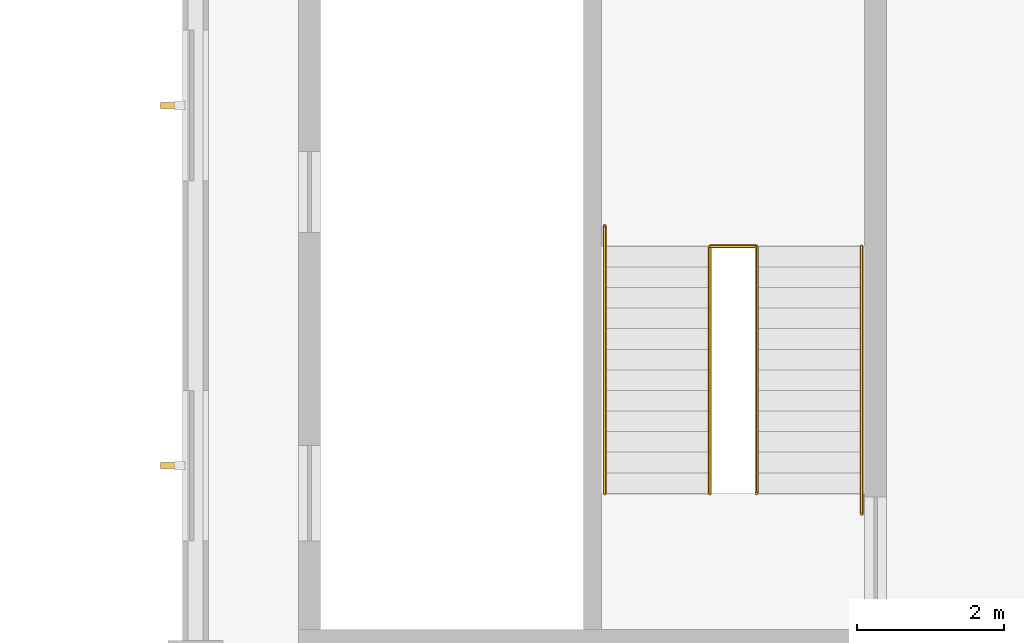
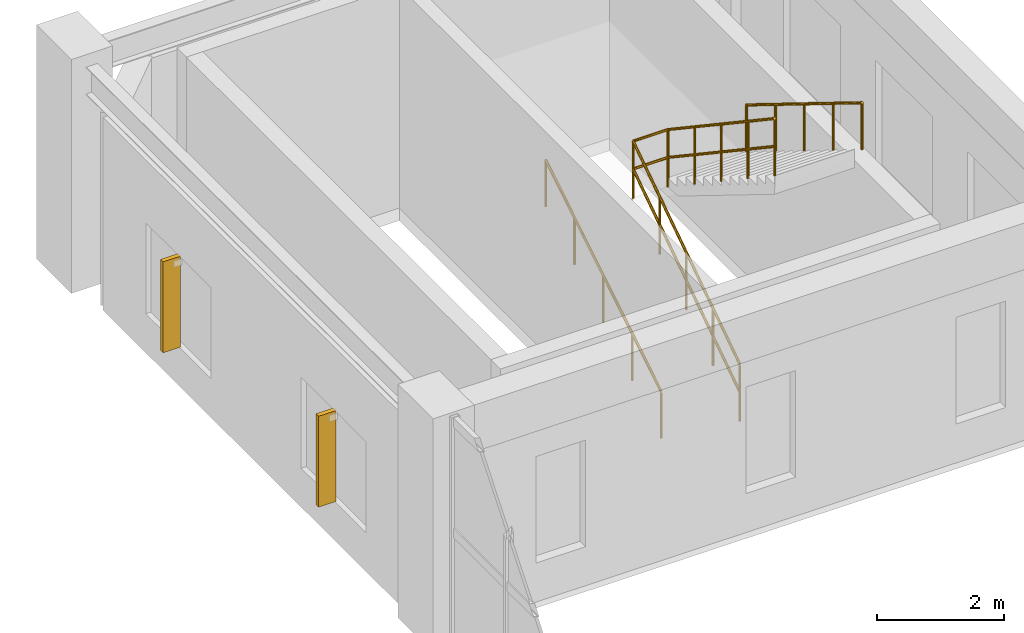
# One storey, part 47 of 48: 3 railings, 2 shading devices.
"""IFC4 building model written with IfcOpenShell, lengths in metres."""

import ifcopenshell
import ifcopenshell.guid

model = None  # the IFC model being written
_history = None  # IfcOwnerHistory: only IFC2X3 demands one
_inside = {}  # id of a spatial element -> (the spatial element, [elements in it])
_under = {}  # id of a project, library or spatial element -> (it, [spatial elements below it])
_declared = {}  # id of a project -> (the project, [libraries it declares])
_typed = {}  # id of a type object -> (the type object, [elements of that type])
_made_of = {}  # id of a material, layer set ... -> (it, [elements and type objects made of it])


def new_model(schema):
    """Start an empty IFC model of exactly this schema.

    Asked for "IFC4X3", IfcOpenShell would pick the latest addendum, in which some entities
    have other attributes; the version numbers below select the first issue.
    IFC2X3 requires an IfcOwnerHistory on every rooted entity: one is made here for all.
    """
    global model, _history
    if schema == "IFC4X3":
        model = ifcopenshell.file(schema_version=(4, 3, 0, 0))
    else:
        model = ifcopenshell.file(schema=schema)
    _inside.clear()
    _under.clear()
    _declared.clear()
    _typed.clear()
    _made_of.clear()
    _history = None
    if model.schema == "IFC2X3":
        org = make("IfcOrganization", Name="unknown")
        user = make(
            "IfcPersonAndOrganization",
            ThePerson=make("IfcPerson", FamilyName="unknown"),
            TheOrganization=org,
        )
        app = make(
            "IfcApplication",
            ApplicationDeveloper=org,
            Version="unknown",
            ApplicationFullName="unknown",
            ApplicationIdentifier="unknown",
        )
        _history = make(
            "IfcOwnerHistory",
            OwningUser=user,
            OwningApplication=app,
            ChangeAction="ADDED",
            CreationDate=0,
        )
    return model


def make(cls, **values):
    """One entity of the class cls with the attributes given. An attribute that is None is left unset."""
    return model.create_entity(
        cls, **{name: value for name, value in values.items() if value is not None}
    )


def rooted(cls, **values):
    """An entity with a GlobalId (a new one), such as an element, a storey or a relation."""
    return make(cls, GlobalId=ifcopenshell.guid.new(), OwnerHistory=_history, **values)


def si_unit(unit_type, name, prefix=None):
    """IfcSIUnit, for example si_unit("LENGTHUNIT", "METRE", prefix="MILLI")."""
    return make("IfcSIUnit", UnitType=unit_type, Prefix=prefix, Name=name)


def assignment(units):
    """IfcUnitAssignment: the units of a project."""
    return None if units is None else make("IfcUnitAssignment", Units=units)


def point(xyz):
    """IfcCartesianPoint."""
    return None if xyz is None else make("IfcCartesianPoint", Coordinates=xyz)


def direction(xyz):
    """IfcDirection."""
    return None if xyz is None else make("IfcDirection", DirectionRatios=xyz)


def frame(location, z_axis=None, x_axis=None):
    """IfcAxis2Placement3D, a coordinate frame: its origin and axes. An axis left out is left unset."""
    return make(
        "IfcAxis2Placement3D",
        Location=point(location),
        Axis=direction(z_axis),
        RefDirection=direction(x_axis),
    )


def frame_2d(location, x_axis=None):
    """IfcAxis2Placement2D, a coordinate frame in the plane: its origin and x axis."""
    return make(
        "IfcAxis2Placement2D", Location=point(location), RefDirection=direction(x_axis)
    )


def origin():
    """The frame at (0, 0, 0) with its axes left unset."""
    return frame((0.0, 0.0, 0.0))


def origin_2d():
    """The frame at (0, 0) in the plane with its x axis left unset."""
    return frame_2d((0.0, 0.0))


def place(relative_to, where):
    """IfcLocalPlacement: puts the frame where relative to a parent placement (None: the world)."""
    return make(
        "IfcLocalPlacement", PlacementRelTo=relative_to, RelativePlacement=where
    )


def context(
    kind, dimensions, precision=None, world=None, true_north=None, identifier=None
):
    """IfcGeometricRepresentationContext, for example the 3D "Model" context."""
    return make(
        "IfcGeometricRepresentationContext",
        ContextIdentifier=identifier,
        ContextType=kind,
        CoordinateSpaceDimension=dimensions,
        Precision=precision,
        WorldCoordinateSystem=world,
        TrueNorth=true_north,
    )


def subcontext(parent, identifier, kind, view, scale=None):
    """IfcGeometricRepresentationSubContext, for example "Body" below "Model"."""
    return make(
        "IfcGeometricRepresentationSubContext",
        ContextIdentifier=identifier,
        ContextType=kind,
        ParentContext=parent,
        TargetScale=scale,
        TargetView=view,
    )


def project(units=None, contexts=None):
    """IfcProject with its units and contexts."""
    return rooted(
        "IfcProject",
        Name="project",
        RepresentationContexts=contexts,
        UnitsInContext=assignment(units),
    )


def spatial(cls, under=None, at=None, **own):
    """A site, building, storey or space (cls), placed at a placement, below another one or the project."""
    s = rooted(cls, ObjectPlacement=at, **own)
    if under is not None:
        _under.setdefault(under.id(), (under, []))[1].append(s)
    return s


def profile(cls, at=None, kind="AREA", **sizes):
    """A parametric profile (cls). Its sizes go by their IFC names, for example OverallWidth=200.0."""
    return make(cls, ProfileType=kind, Position=at, **sizes)


def rectangle(**sizes):
    """IfcRectangleProfileDef."""
    return profile("IfcRectangleProfileDef", **sizes)


def circle(**sizes):
    """IfcCircleProfileDef."""
    return profile("IfcCircleProfileDef", **sizes)


def extrude(swept, where, along, depth):
    """IfcExtrudedAreaSolid: the profile swept, set in the frame where, extruded along a direction by depth."""
    return make(
        "IfcExtrudedAreaSolid",
        SweptArea=swept,
        Position=where,
        ExtrudedDirection=direction(along),
        Depth=depth,
    )


def shape(context_of_items, identifier, shape_type, items):
    """IfcShapeRepresentation: the items that make up one representation, for example the "Body"."""
    return make(
        "IfcShapeRepresentation",
        ContextOfItems=context_of_items,
        RepresentationIdentifier=identifier,
        RepresentationType=shape_type,
        Items=items,
    )


def material(Name=None, Category=None):
    """IfcMaterial."""
    return make("IfcMaterial", Name=Name, Category=Category)


def made_of(thing, what):
    """Note that an element or type object is made of a material, layer set ...; save() writes the relation."""
    if what is not None:
        _made_of.setdefault(what.id(), (what, []))[1].append(thing)
    return thing


def type_object(cls, material=None, **own):
    """A type object (cls), such as IfcWallType, which elements share."""
    return made_of(rooted(cls, **own), material)


def element(
    cls,
    number,
    at=None,
    inside=None,
    cuts=None,
    type_object=None,
    material=None,
    context=None,
    identifier="Body",
    shape_type=None,
    held_by="IfcProductDefinitionShape",
    body=None,
    shapes=None,
    **own,
):
    """One element of the class cls, such as IfcWall. Its Tag is "e" and its number.

    at: its placement. inside: the storey or other place that contains it. cuts: it is an
    opening in that element (IfcRelVoidsElement). A single representation is given by context,
    identifier, shape_type and body (its items); several are given by shapes. held_by: the class
    of the entity that holds the representations. save() writes the other relations.
    """
    e = rooted(cls, Tag="e%d" % number, ObjectPlacement=at, **own)
    if body is not None:
        shapes = [shape(context, identifier, shape_type, body)]
    if shapes is not None:
        e.Representation = make(held_by, Representations=shapes)
    if inside is not None:
        _inside.setdefault(inside.id(), (inside, []))[1].append(e)
    if cuts is not None:
        rooted(
            "IfcRelVoidsElement", RelatingBuildingElement=cuts, RelatedOpeningElement=e
        )
    if type_object is not None:
        _typed.setdefault(type_object.id(), (type_object, []))[1].append(e)
    return made_of(e, material)


def aggregate(whole, parts):
    """IfcRelAggregates: a whole, such as a stair, and the parts it consists of."""
    return rooted("IfcRelAggregates", RelatingObject=whole, RelatedObjects=parts)


def save(model, path):
    """Write the relations noted so far, then the file.

    IfcRelAggregates (storeys below a building ...), IfcRelContainedInSpatialStructure (elements
    in a storey), IfcRelDefinesByType, IfcRelAssociatesMaterial and IfcRelDeclares: one each for
    every whole, place, type object, material and project.
    """
    for whole, parts in _under.values():
        aggregate(whole, parts)
    for where, things in _inside.values():
        rooted(
            "IfcRelContainedInSpatialStructure",
            RelatedElements=things,
            RelatingStructure=where,
        )
    for kind, things in _typed.values():
        rooted("IfcRelDefinesByType", RelatedObjects=things, RelatingType=kind)
    for what, things in _made_of.values():
        rooted("IfcRelAssociatesMaterial", RelatedObjects=things, RelatingMaterial=what)
    for by, libraries in _declared.values():
        rooted("IfcRelDeclares", RelatingContext=by, RelatedDefinitions=libraries)
    model.write(path)


model = new_model("IFC4")

# Units and contexts
model_context = context("Model", 3, precision=1e-05, world=origin(), true_north=direction((0.0, 1.0)))
body_context = subcontext(model_context, "Body", "Model", "MODEL_VIEW")
ifc_project = project(units=[si_unit("LENGTHUNIT", "METRE"), si_unit("AREAUNIT", "SQUARE_METRE"), si_unit("VOLUMEUNIT", "CUBIC_METRE"), si_unit("PLANEANGLEUNIT", "RADIAN"), si_unit("MASSUNIT", "GRAM", prefix="KILO"), si_unit("POWERUNIT", "WATT"), si_unit("THERMODYNAMICTEMPERATUREUNIT", "KELVIN")], contexts=[model_context])

# Site, building, storey
site_placement = place(None, origin())
site = spatial("IfcSite", under=ifc_project, at=site_placement, CompositionType="ELEMENT")
building_placement = place(site_placement, origin())
building = spatial("IfcBuilding", under=site, at=building_placement, Name="Kelmbourne Parkland Aquatics Centre", CompositionType="ELEMENT")
storey_placement = place(building_placement, frame((0.0, 0.0, 14.699951171875)))
storey = spatial("IfcBuildingStorey", under=building, at=storey_placement, Name="L03", CompositionType="ELEMENT", Elevation=14.699951171875)

# Railings
ifc_material_1 = material(Name="Grade 316 marine stainless steel", Category="steel")
railing_type_1 = type_object("IfcRailingType", Name="RL-GD-112", PredefinedType="GUARDRAIL", material=ifc_material_1)
railing_1_placement = place(storey_placement, frame((134.9951171875, 105.949951171875, 0.0)))
element("IfcRailing", 1, at=railing_1_placement, inside=storey, type_object=railing_type_1, Name="North Diving Control Fire-Fighting Core Stair ST05 well guardrail", PredefinedType="GUARDRAIL", context=body_context, shape_type="SweptSolid", body=[
    extrude(circle(Radius=0.02392578125, at=origin_2d()), frame((0.0, 0.0, 1.09619140625), z_axis=(0.0, 0.830915400975, 0.556398774641), x_axis=(-1.0, 0.0, 0.0)), (0.0, 0.0, 1.0), 4.0439453125),
    extrude(circle(Radius=0.02392578125, at=origin_2d()), frame((0.0, 0.0, 0.56005859375), z_axis=(0.0, 0.830915400975, 0.556398774641), x_axis=(-1.0, 0.0, 0.0)), (0.0, 0.0, 1.0), 4.0439453125),
    extrude(circle(Radius=0.02392578125, at=origin_2d()), frame((0.0, 3.360107421875, 3.34619140625), z_axis=(1.0, 0.0, 0.0), x_axis=(0.0, 1.0, 0.0)), (0.0, 0.0, 1.0), 0.634765625),
    extrude(circle(Radius=0.02392578125, at=origin_2d()), frame((0.0, 3.360107421875, 2.81005859375), z_axis=(1.0, 0.0, 0.0), x_axis=(0.0, 1.0, 0.0)), (0.0, 0.0, 1.0), 0.634765625),
    extrude(circle(Radius=0.02392578125, at=origin_2d()), frame((0.634765625, 3.360107421875, 3.34619140625), z_axis=(0.0, -0.830915400975, 0.556398774641), x_axis=(1.0, 0.0, 0.0)), (0.0, 0.0, 1.0), 4.0439453125),
    extrude(circle(Radius=0.02392578125, at=origin_2d()), frame((0.634765625, 3.360107421875, 2.81005859375), z_axis=(0.0, -0.830915400975, 0.556398774641), x_axis=(1.0, 0.0, 0.0)), (0.0, 0.0, 1.0), 4.0439453125),
    extrude(circle(Radius=0.02099609375, at=origin_2d()), origin(), (0.0, 0.0, 1.0), 1.072021484375),
    extrude(circle(Radius=0.02099609375, at=origin_2d()), frame((0.0, 0.840087890625, 0.5625)), (0.0, 0.0, 1.0), 1.072021484375),
    extrude(circle(Radius=0.02099609375, at=origin_2d()), frame((0.0, 1.68017578125, 1.125)), (0.0, 0.0, 1.0), 1.072021484375),
    extrude(circle(Radius=0.02099609375, at=origin_2d()), frame((0.0, 2.52001953125, 1.6875)), (0.0, 0.0, 1.0), 1.072021484375),
    extrude(circle(Radius=0.02099609375, at=origin_2d()), frame((0.0, 3.360107421875, 2.25)), (0.0, 0.0, 1.0), 1.072021484375),
    extrude(circle(Radius=0.02099609375, at=origin_2d()), frame((0.634765625, 3.360107421875, 2.25)), (0.0, 0.0, 1.0), 1.072021484375),
    extrude(circle(Radius=0.02099609375, at=origin_2d()), frame((0.634765625, 2.52001953125, 2.8125)), (0.0, 0.0, 1.0), 1.072021484375),
    extrude(circle(Radius=0.02099609375, at=origin_2d()), frame((0.634765625, 1.68017578125, 3.375)), (0.0, 0.0, 1.0), 1.072021484375),
    extrude(circle(Radius=0.02099609375, at=origin_2d()), frame((0.634765625, 0.840087890625, 3.9375)), (0.0, 0.0, 1.0), 1.072021484375),
    extrude(circle(Radius=0.02099609375, at=origin_2d()), frame((0.634765625, 0.0, 4.5)), (0.0, 0.0, 1.0), 1.072021484375),
])
railing_type_2 = type_object("IfcRailingType", Name="RL-HR-92", PredefinedType="HANDRAIL", material=ifc_material_1)
railing_2_placement = place(storey_placement, frame((133.56494140625, 105.949951171875, 0.173095703125)))
element("IfcRailing", 2, at=railing_2_placement, inside=storey, type_object=railing_type_2, Name="North Diving Control Fire-Fighting Core Stair ST05 F1 handrail", PredefinedType="HANDRAIL", context=body_context, shape_type="SweptSolid", body=[
    extrude(circle(Radius=0.02392578125, at=origin_2d()), frame((0.0, 0.0, 0.89599609375), z_axis=(0.0, 0.850622404505, 0.525777067734), x_axis=(-1.0, 0.0, 0.0)), (0.0, 0.0, 1.0), 4.279296875),
    extrude(circle(Radius=0.02099609375, at=origin_2d()), origin(), (0.0, 0.0, 1.0), 0.871826171875),
    extrude(circle(Radius=0.02099609375, at=origin_2d()), frame((0.0, 0.91015625, 0.5625)), (0.0, 0.0, 1.0), 0.871826171875),
    extrude(circle(Radius=0.02099609375, at=origin_2d()), frame((0.0, 1.820068359375, 1.125)), (0.0, 0.0, 1.0), 0.871826171875),
    extrude(circle(Radius=0.02099609375, at=origin_2d()), frame((0.0, 2.72998046875, 1.6875)), (0.0, 0.0, 1.0), 0.871826171875),
    extrude(circle(Radius=0.02099609375, at=origin_2d()), frame((0.0, 3.64013671875, 2.25)), (0.0, 0.0, 1.0), 0.871826171875),
])
railing_3_placement = place(storey_placement, frame((137.06005859375, 109.31005859375, 2.423095703125)))
element("IfcRailing", 3, at=railing_3_placement, inside=storey, type_object=railing_type_2, Name="North Diving Control Fire-Fighting Core Stair ST05 F2 handrail", PredefinedType="HANDRAIL", context=body_context, shape_type="SweptSolid", body=[
    extrude(circle(Radius=0.02392578125, at=origin_2d()), frame((0.0, 0.0, 0.89599609375), z_axis=(0.0, -0.850622404505, 0.525777067734), x_axis=(1.0, 0.0, 0.0)), (0.0, 0.0, 1.0), 4.279296875),
    extrude(circle(Radius=0.02099609375, at=origin_2d()), origin(), (0.0, 0.0, 1.0), 0.871826171875),
    extrude(circle(Radius=0.02099609375, at=origin_2d()), frame((0.0, -0.91015625, 0.5625)), (0.0, 0.0, 1.0), 0.871826171875),
    extrude(circle(Radius=0.02099609375, at=origin_2d()), frame((0.0, -1.820068359375, 1.125)), (0.0, 0.0, 1.0), 0.871826171875),
    extrude(circle(Radius=0.02099609375, at=origin_2d()), frame((0.0, -2.72998046875, 1.6875)), (0.0, 0.0, 1.0), 0.871826171875),
    extrude(circle(Radius=0.02099609375, at=origin_2d()), frame((0.0, -3.64013671875, 2.25)), (0.0, 0.0, 1.0), 0.871826171875),
])

# Shading devices
ifc_material_2 = material(Name="Architectural extruded terracotta baguettes", Category="masonry")
shading_device_type = type_object("IfcShadingDeviceType", Name="SHD-FIN-1", PredefinedType="USERDEFINED", material=ifc_material_2)
for number, where, z_axis, x_axis, name in (
    (4, (127.68505859375, 106.326904296875, 0.75), (0.0, 0.0, 1.0), (0.0, 1.0, 0.0), "Terracotta vertical solar fin 192"),
    (5, (127.68505859375, 111.22509765625, 0.75), (0.0, 0.0, 1.0), (0.0, 1.0, 0.0), "Terracotta vertical solar fin 193"),
):
    element("IfcShadingDevice", number, at=place(storey_placement, frame(where, z_axis=z_axis, x_axis=x_axis)), inside=storey, type_object=shading_device_type, Name=name, ObjectType="SOLAR FIN", PredefinedType="USERDEFINED", context=body_context, shape_type="SweptSolid", body=[
        extrude(rectangle(XDim=0.080078125, YDim=0.320068359375, at=origin_2d()), origin(), (0.0, 0.0, 1.0), 1.75),
    ])

save(model, "model.ifc")
